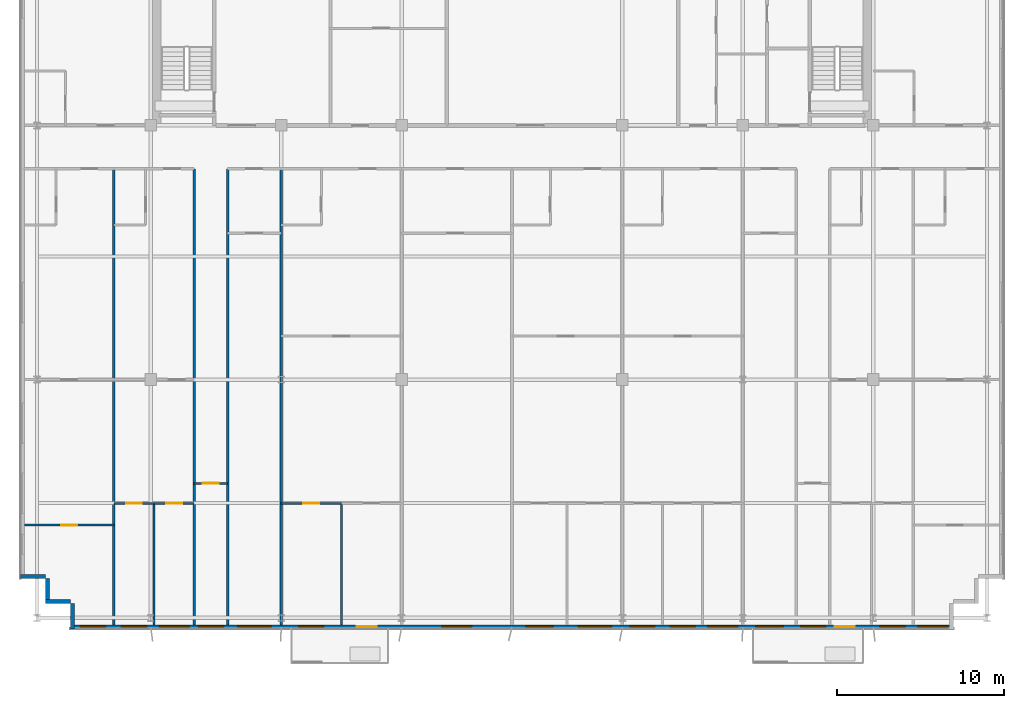
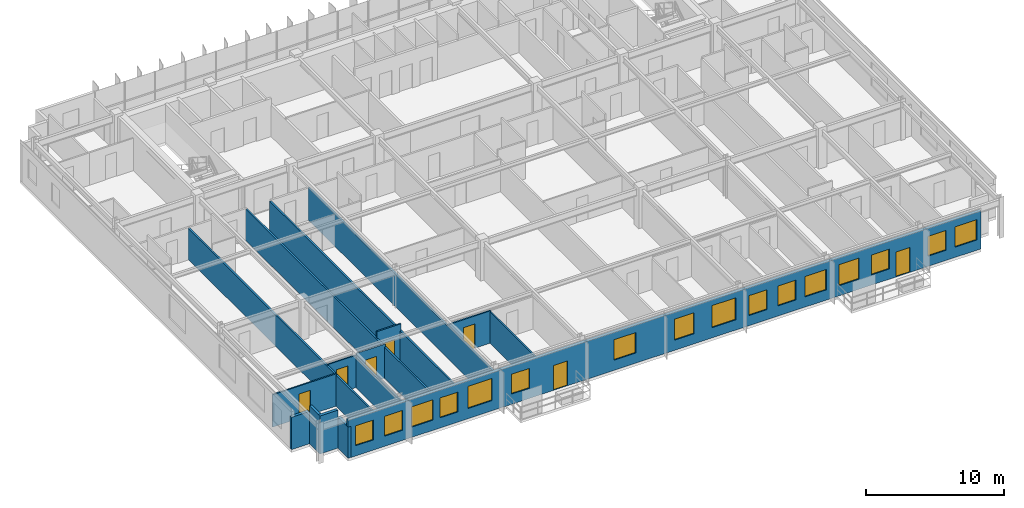
# One storey, part 14 of 21: 16 walls, 16 windows, 7 doors, 23 openings.
"""IFC4 building model written with IfcOpenShell, lengths in metres."""

from ifc_helpers import new_model, si_unit, direction, frame, frame_2d, origin, place, context, subcontext, project, spatial, rectangle, extrude, source, transform, mapped, material, layer, layer_set, type_object, element, fill, save


model = new_model("IFC4")

# Units and contexts
model_context = context("Model", 3, precision=1e-05, world=origin(), true_north=direction((0.0, 1.0)))
body_context = subcontext(model_context, "Body", "Model", "MODEL_VIEW")
ifc_project = project(units=[si_unit("LENGTHUNIT", "METRE"), si_unit("AREAUNIT", "SQUARE_METRE"), si_unit("VOLUMEUNIT", "CUBIC_METRE"), si_unit("PLANEANGLEUNIT", "RADIAN"), si_unit("MASSUNIT", "GRAM", prefix="KILO")], contexts=[model_context])

# Site, building, storey
site_placement = place(None, origin())
site = spatial("IfcSite", under=ifc_project, at=site_placement, CompositionType="ELEMENT")
building_placement = place(site_placement, origin())
building = spatial("IfcBuilding", under=site, at=building_placement, Name="Trelvane Seafront Commons", CompositionType="ELEMENT")
storey_placement = place(building_placement, frame((0.0, 0.0, 135.699951171875)))
storey = spatial("IfcBuildingStorey", under=building, at=storey_placement, Name="L35", CompositionType="ELEMENT", Elevation=135.699951171875)

# Walls
ifc_material_1 = material(Name="Precast concrete C40/50", Category="concrete")
ifc_layer_1 = layer(ifc_material_1, 0.239990234375, Name="ARCH-WALL-EXT240")
ifc_layer_set_1 = layer_set([ifc_layer_1], Name="Precast concrete C40/50")
wall_type_1 = type_object("IfcWallType", Name="ARCH-WALL-EXT240", PredefinedType="SOLIDWALL", material=ifc_layer_set_1)
for number, where, z_axis, x_axis, name in (
    (1, (10.800048828125, 4.919921875, 0.0), (0.0, 0.0, 1.0), (-1.0, 0.0, 0.0), "EW-L35-00676"),
    (2, (9.419921875, 4.800048828125, 0.0), (0.0, 0.0, 1.0), (0.0, 1.0, 0.0), "EW-L35-00677"),
):
    element("IfcWall", number, at=place(storey_placement, frame(where, z_axis=z_axis, x_axis=x_axis)), inside=storey, type_object=wall_type_1, Name=name, PredefinedType="SOLIDWALL", context=body_context, shape_type="SweptSolid", body=[
        extrude(rectangle(XDim=1.5, YDim=0.239990234375, at=frame_2d((0.75, 0.0))), origin(), (0.0, 0.0, 1.0), 3.35009765625),
    ])
wall_1_placement = place(storey_placement, frame((9.300048828125, 6.419921875, 0.0), z_axis=(0.0, 0.0, 1.0), x_axis=(-1.0, 0.0, 0.0)))
element("IfcWall", 3, at=wall_1_placement, inside=storey, type_object=wall_type_1, Name="EW-L35-00678", PredefinedType="SOLIDWALL", context=body_context, shape_type="SweptSolid", body=[
    extrude(rectangle(XDim=1.5, YDim=0.239990234375, at=frame_2d((0.75, 0.0))), origin(), (0.0, 0.0, 1.0), 2.85009765625),
])

# Wall, openings, doors, windows
wall_2_placement = place(storey_placement, frame((63.60009765625, 3.419921875, 0.0), z_axis=(0.0, 0.0, 1.0), x_axis=(-1.0, 0.0, 0.0)))
wall_2 = element("IfcWall", 4, at=wall_2_placement, inside=storey, type_object=wall_type_1, Name="EW-L35-00693", PredefinedType="SOLIDWALL", context=body_context, shape_type="SweptSolid", body=[
    extrude(rectangle(XDim=52.800048828125, YDim=0.239990234375, at=frame_2d((26.39990234375, 0.0))), origin(), (0.0, 0.0, 1.0), 3.35009765625),
])
opening_1_placement = place(wall_2_placement, frame((0.344970703125, 0.0, 0.89990234375)))
opening_1 = element("IfcOpeningElement", 5, at=opening_1_placement, cuts=wall_2, Name="Opening W01", PredefinedType="OPENING", context=body_context, shape_type="SweptSolid", body=[
    extrude(rectangle(XDim=1.800048828125, YDim=1.800048828125, at=frame_2d((0.89990234375, 0.89990234375))), frame((0.0, 0.1298828125, 0.0), z_axis=(0.0, -1.0, 0.0), x_axis=(1.0, 0.0, 0.0)), (0.0, 0.0, 1.0), 0.260009765625),
])
opening_2_placement = place(wall_2_placement, frame((2.89990234375, 0.0, 0.89990234375)))
opening_2 = element("IfcOpeningElement", 6, at=opening_2_placement, cuts=wall_2, Name="Opening W03", PredefinedType="OPENING", context=body_context, shape_type="SweptSolid", body=[
    extrude(rectangle(XDim=1.5, YDim=1.75, at=frame_2d((0.75, 0.875))), frame((0.0, 0.1298828125, 0.0), z_axis=(0.0, -1.0, 0.0), x_axis=(1.0, 0.0, 0.0)), (0.0, 0.0, 1.0), 0.260009765625),
])
opening_3_placement = place(wall_2_placement, frame((5.902099609375, 0.0, 0.0)))
opening_3 = element("IfcOpeningElement", 7, at=opening_3_placement, cuts=wall_2, Name="Opening BD-L35-83", PredefinedType="OPENING", context=body_context, shape_type="SweptSolid", body=[
    extrude(rectangle(XDim=1.199951171875, YDim=2.199951171875, at=frame_2d((0.60009765625, 1.10009765625))), frame((0.0, 0.1298828125, 0.0), z_axis=(0.0, -1.0, 0.0), x_axis=(1.0, 0.0, 0.0)), (0.0, 0.0, 1.0), 0.260009765625),
])
opening_4_placement = place(wall_2_placement, frame((7.64990234375, 0.0, 0.89990234375)))
opening_4 = element("IfcOpeningElement", 8, at=opening_4_placement, cuts=wall_2, Name="Opening W03", PredefinedType="OPENING", context=body_context, shape_type="SweptSolid", body=[
    extrude(rectangle(XDim=1.5, YDim=1.75, at=frame_2d((0.75, 0.875))), frame((0.0, 0.1298828125, 0.0), z_axis=(0.0, -1.0, 0.0), x_axis=(1.0, 0.0, 0.0)), (0.0, 0.0, 1.0), 0.260009765625),
])
opening_5_placement = place(wall_2_placement, frame((10.175048828125, 0.0, 0.89990234375)))
opening_5 = element("IfcOpeningElement", 9, at=opening_5_placement, cuts=wall_2, Name="Opening W07", PredefinedType="OPENING", context=body_context, shape_type="SweptSolid", body=[
    extrude(rectangle(XDim=1.64990234375, YDim=1.85009765625, at=frame_2d((0.824951171875, 0.925048828125))), frame((0.0, 0.1298828125, 0.0), z_axis=(0.0, -1.0, 0.0), x_axis=(1.0, 0.0, 0.0)), (0.0, 0.0, 1.0), 0.260009765625),
])
opening_6_placement = place(wall_2_placement, frame((12.89990234375, 0.0, 0.89990234375)))
opening_6 = element("IfcOpeningElement", 10, at=opening_6_placement, cuts=wall_2, Name="Opening W01", PredefinedType="OPENING", context=body_context, shape_type="SweptSolid", body=[
    extrude(rectangle(XDim=1.800048828125, YDim=1.800048828125, at=frame_2d((0.89990234375, 0.89990234375))), frame((0.0, 0.1298828125, 0.0), z_axis=(0.0, -1.0, 0.0), x_axis=(1.0, 0.0, 0.0)), (0.0, 0.0, 1.0), 0.260009765625),
])
opening_7_placement = place(wall_2_placement, frame((15.449951171875, 0.0, 0.89990234375)))
opening_7 = element("IfcOpeningElement", 11, at=opening_7_placement, cuts=wall_2, Name="Opening W03", PredefinedType="OPENING", context=body_context, shape_type="SweptSolid", body=[
    extrude(rectangle(XDim=1.5, YDim=1.75, at=frame_2d((0.75, 0.875))), frame((0.0, 0.1298828125, 0.0), z_axis=(0.0, -1.0, 0.0), x_axis=(1.0, 0.0, 0.0)), (0.0, 0.0, 1.0), 0.260009765625),
])
opening_8_placement = place(wall_2_placement, frame((17.85009765625, 0.0, 0.89990234375)))
opening_8 = element("IfcOpeningElement", 12, at=opening_8_placement, cuts=wall_2, Name="Opening W03", PredefinedType="OPENING", context=body_context, shape_type="SweptSolid", body=[
    extrude(rectangle(XDim=1.5, YDim=1.75, at=frame_2d((0.75, 0.875))), frame((0.0, 0.1298828125, 0.0), z_axis=(0.0, -1.0, 0.0), x_axis=(1.0, 0.0, 0.0)), (0.0, 0.0, 1.0), 0.260009765625),
])
opening_9_placement = place(wall_2_placement, frame((20.449951171875, 0.0, 0.89990234375)))
opening_9 = element("IfcOpeningElement", 13, at=opening_9_placement, cuts=wall_2, Name="Opening W06", PredefinedType="OPENING", context=body_context, shape_type="SweptSolid", body=[
    extrude(rectangle(XDim=2.0, YDim=1.949951171875, at=frame_2d((1.0, 0.97509765625))), frame((0.0, 0.1298828125, 0.0), z_axis=(0.0, -1.0, 0.0), x_axis=(1.0, 0.0, 0.0)), (0.0, 0.0, 1.0), 0.260009765625),
])
opening_10_placement = place(wall_2_placement, frame((23.925048828125, 0.0, 0.89990234375)))
opening_10 = element("IfcOpeningElement", 14, at=opening_10_placement, cuts=wall_2, Name="Opening W07", PredefinedType="OPENING", context=body_context, shape_type="SweptSolid", body=[
    extrude(rectangle(XDim=1.64990234375, YDim=1.85009765625, at=frame_2d((0.824951171875, 0.925048828125))), frame((0.0, 0.1298828125, 0.0), z_axis=(0.0, -1.0, 0.0), x_axis=(1.0, 0.0, 0.0)), (0.0, 0.0, 1.0), 0.260009765625),
])
opening_11_placement = place(wall_2_placement, frame((28.800048828125, 0.0, 0.89990234375)))
opening_11 = element("IfcOpeningElement", 15, at=opening_11_placement, cuts=wall_2, Name="Opening W01", PredefinedType="OPENING", context=body_context, shape_type="SweptSolid", body=[
    extrude(rectangle(XDim=1.800048828125, YDim=1.800048828125, at=frame_2d((0.89990234375, 0.89990234375))), frame((0.0, 0.1298828125, 0.0), z_axis=(0.0, -1.0, 0.0), x_axis=(1.0, 0.0, 0.0)), (0.0, 0.0, 1.0), 0.260009765625),
])
opening_12_placement = place(wall_2_placement, frame((34.47802734375, 0.0, 0.0)))
opening_12 = element("IfcOpeningElement", 16, at=opening_12_placement, cuts=wall_2, Name="Opening BD-L35-84", PredefinedType="OPENING", context=body_context, shape_type="SweptSolid", body=[
    extrude(rectangle(XDim=1.199951171875, YDim=2.199951171875, at=frame_2d((0.60009765625, 1.10009765625))), frame((0.0, 0.1298828125, 0.0), z_axis=(0.0, -1.0, 0.0), x_axis=(1.0, 0.0, 0.0)), (0.0, 0.0, 1.0), 0.260009765625),
])
opening_13_placement = place(wall_2_placement, frame((37.64990234375, 0.0, 0.89990234375)))
opening_13 = element("IfcOpeningElement", 17, at=opening_13_placement, cuts=wall_2, Name="Opening W03", PredefinedType="OPENING", context=body_context, shape_type="SweptSolid", body=[
    extrude(rectangle(XDim=1.5, YDim=1.75, at=frame_2d((0.75, 0.875))), frame((0.0, 0.1298828125, 0.0), z_axis=(0.0, -1.0, 0.0), x_axis=(1.0, 0.0, 0.0)), (0.0, 0.0, 1.0), 0.260009765625),
])
opening_14_placement = place(wall_2_placement, frame((40.800048828125, 0.0, 0.89990234375)))
opening_14 = element("IfcOpeningElement", 18, at=opening_14_placement, cuts=wall_2, Name="Opening W06", PredefinedType="OPENING", context=body_context, shape_type="SweptSolid", body=[
    extrude(rectangle(XDim=2.0, YDim=1.949951171875, at=frame_2d((1.0, 0.97509765625))), frame((0.0, 0.1298828125, 0.0), z_axis=(0.0, -1.0, 0.0), x_axis=(1.0, 0.0, 0.0)), (0.0, 0.0, 1.0), 0.260009765625),
])
opening_15_placement = place(wall_2_placement, frame((43.64990234375, 0.0, 0.89990234375)))
opening_15 = element("IfcOpeningElement", 19, at=opening_15_placement, cuts=wall_2, Name="Opening W03", PredefinedType="OPENING", context=body_context, shape_type="SweptSolid", body=[
    extrude(rectangle(XDim=1.5, YDim=1.75, at=frame_2d((0.75, 0.875))), frame((0.0, 0.1298828125, 0.0), z_axis=(0.0, -1.0, 0.0), x_axis=(1.0, 0.0, 0.0)), (0.0, 0.0, 1.0), 0.260009765625),
])
opening_16_placement = place(wall_2_placement, frame((45.699951171875, 0.0, 0.89990234375)))
opening_16 = element("IfcOpeningElement", 20, at=opening_16_placement, cuts=wall_2, Name="Opening W01", PredefinedType="OPENING", context=body_context, shape_type="SweptSolid", body=[
    extrude(rectangle(XDim=1.800048828125, YDim=1.800048828125, at=frame_2d((0.89990234375, 0.89990234375))), frame((0.0, 0.1298828125, 0.0), z_axis=(0.0, -1.0, 0.0), x_axis=(1.0, 0.0, 0.0)), (0.0, 0.0, 1.0), 0.260009765625),
])
opening_17_placement = place(wall_2_placement, frame((48.25, 0.0, 0.89990234375)))
opening_17 = element("IfcOpeningElement", 21, at=opening_17_placement, cuts=wall_2, Name="Opening W03", PredefinedType="OPENING", context=body_context, shape_type="SweptSolid", body=[
    extrude(rectangle(XDim=1.5, YDim=1.75, at=frame_2d((0.75, 0.875))), frame((0.0, 0.1298828125, 0.0), z_axis=(0.0, -1.0, 0.0), x_axis=(1.0, 0.0, 0.0)), (0.0, 0.0, 1.0), 0.260009765625),
])
opening_18_placement = place(wall_2_placement, frame((50.705078125, 0.0, 0.89990234375)))
opening_18 = element("IfcOpeningElement", 22, at=opening_18_placement, cuts=wall_2, Name="Opening W03", PredefinedType="OPENING", context=body_context, shape_type="SweptSolid", body=[
    extrude(rectangle(XDim=1.5, YDim=1.75, at=frame_2d((0.75, 0.875))), frame((0.0, 0.1298828125, 0.0), z_axis=(0.0, -1.0, 0.0), x_axis=(1.0, 0.0, 0.0)), (0.0, 0.0, 1.0), 0.260009765625),
])
ifc_material_2 = material(Name="Powder-coated aluminium frame", Category="aluminium")
door_type_1 = type_object("IfcDoorType", Name="ARCH-DR-BAL1200", OperationType="NOTDEFINED", PredefinedType="DOOR", material=ifc_material_2)
shared_shape_1 = source(origin(), body_context, "Body", "SweptSolid", [
    extrude(rectangle(XDim=1.199951171875, YDim=2.199951171875, at=frame_2d((0.60009765625, 1.10009765625))), frame((0.0, 0.02490234375, 0.0), z_axis=(0.0, -1.0, 0.0), x_axis=(1.0, 0.0, 0.0)), (0.0, 0.0, 1.0), 0.050048828125),
])
door_1_placement = place(opening_3_placement, origin())
door_1 = element("IfcDoor", 23, at=door_1_placement, inside=storey, type_object=door_type_1, Name="L35 Balcony Terrace Access Door", OperationType="SINGLE_SWING_LEFT", OverallHeight=2.199951171875, OverallWidth=1.199951171875, PredefinedType="DOOR", context=body_context, shape_type="MappedRepresentation", body=[
    mapped(shared_shape_1, transform((0.0, 0.0, 0.0), x_axis=(1.0, 0.0, 0.0), y_axis=(0.0, 1.0, 0.0), z_axis=(0.0, 0.0, 1.0), scale=1.0)),
])
fill(opening_3, door_1)
door_2_placement = place(opening_12_placement, origin())
door_2 = element("IfcDoor", 24, at=door_2_placement, inside=storey, type_object=door_type_1, Name="L35 Balcony Terrace Access Door", OperationType="SINGLE_SWING_LEFT", OverallHeight=2.199951171875, OverallWidth=1.199951171875, PredefinedType="DOOR", context=body_context, shape_type="MappedRepresentation", body=[
    mapped(shared_shape_1, transform((0.0, 0.0, 0.0), x_axis=(1.0, 0.0, 0.0), y_axis=(0.0, 1.0, 0.0), z_axis=(0.0, 0.0, 1.0), scale=1.0)),
])
fill(opening_12, door_2)
ifc_material_3 = material(Name="Low-E coastal double glazing", Category="glass")
window_type_1 = type_object("IfcWindowType", Name="ARCH-WIN-W03", PartitioningType="SINGLE_PANEL", PredefinedType="WINDOW", material=ifc_material_3)
shared_shape_2 = source(origin(), body_context, "Body", "SweptSolid", [
    extrude(rectangle(XDim=1.5, YDim=1.75, at=frame_2d((0.75, 0.875))), frame((0.0, 0.030029296875, 0.0), z_axis=(0.0, -1.0, 0.0), x_axis=(1.0, 0.0, 0.0)), (0.0, 0.0, 1.0), 0.06005859375),
])
window_1_placement = place(opening_2_placement, origin())
window_1 = element("IfcWindow", 25, at=window_1_placement, inside=storey, type_object=window_type_1, Name="WIN-L35-00804", OverallHeight=1.75, OverallWidth=1.5, PartitioningType="SINGLE_PANEL", PredefinedType="WINDOW", context=body_context, shape_type="MappedRepresentation", body=[
    mapped(shared_shape_2, transform((0.0, 0.0, 0.0), x_axis=(1.0, 0.0, 0.0), y_axis=(0.0, 1.0, 0.0), z_axis=(0.0, 0.0, 1.0), scale=1.0)),
])
fill(opening_2, window_1)
window_2_placement = place(opening_4_placement, origin())
window_2 = element("IfcWindow", 26, at=window_2_placement, inside=storey, type_object=window_type_1, Name="WIN-L35-00805", OverallHeight=1.75, OverallWidth=1.5, PartitioningType="SINGLE_PANEL", PredefinedType="WINDOW", context=body_context, shape_type="MappedRepresentation", body=[
    mapped(shared_shape_2, transform((0.0, 0.0, 0.0), x_axis=(1.0, 0.0, 0.0), y_axis=(0.0, 1.0, 0.0), z_axis=(0.0, 0.0, 1.0), scale=1.0)),
])
fill(opening_4, window_2)
window_3_placement = place(opening_7_placement, origin())
window_3 = element("IfcWindow", 27, at=window_3_placement, inside=storey, type_object=window_type_1, Name="WIN-L35-00808", OverallHeight=1.75, OverallWidth=1.5, PartitioningType="SINGLE_PANEL", PredefinedType="WINDOW", context=body_context, shape_type="MappedRepresentation", body=[
    mapped(shared_shape_2, transform((0.0, 0.0, 0.0), x_axis=(1.0, 0.0, 0.0), y_axis=(0.0, 1.0, 0.0), z_axis=(0.0, 0.0, 1.0), scale=1.0)),
])
fill(opening_7, window_3)
window_4_placement = place(opening_8_placement, origin())
window_4 = element("IfcWindow", 28, at=window_4_placement, inside=storey, type_object=window_type_1, Name="WIN-L35-00809", OverallHeight=1.75, OverallWidth=1.5, PartitioningType="SINGLE_PANEL", PredefinedType="WINDOW", context=body_context, shape_type="MappedRepresentation", body=[
    mapped(shared_shape_2, transform((0.0, 0.0, 0.0), x_axis=(1.0, 0.0, 0.0), y_axis=(0.0, 1.0, 0.0), z_axis=(0.0, 0.0, 1.0), scale=1.0)),
])
fill(opening_8, window_4)
window_5_placement = place(opening_13_placement, origin())
window_5 = element("IfcWindow", 29, at=window_5_placement, inside=storey, type_object=window_type_1, Name="WIN-L35-00813", OverallHeight=1.75, OverallWidth=1.5, PartitioningType="SINGLE_PANEL", PredefinedType="WINDOW", context=body_context, shape_type="MappedRepresentation", body=[
    mapped(shared_shape_2, transform((0.0, 0.0, 0.0), x_axis=(1.0, 0.0, 0.0), y_axis=(0.0, 1.0, 0.0), z_axis=(0.0, 0.0, 1.0), scale=1.0)),
])
fill(opening_13, window_5)
window_6_placement = place(opening_15_placement, origin())
window_6 = element("IfcWindow", 30, at=window_6_placement, inside=storey, type_object=window_type_1, Name="WIN-L35-00815", OverallHeight=1.75, OverallWidth=1.5, PartitioningType="SINGLE_PANEL", PredefinedType="WINDOW", context=body_context, shape_type="MappedRepresentation", body=[
    mapped(shared_shape_2, transform((0.0, 0.0, 0.0), x_axis=(1.0, 0.0, 0.0), y_axis=(0.0, 1.0, 0.0), z_axis=(0.0, 0.0, 1.0), scale=1.0)),
])
fill(opening_15, window_6)
window_7_placement = place(opening_17_placement, origin())
window_7 = element("IfcWindow", 31, at=window_7_placement, inside=storey, type_object=window_type_1, Name="WIN-L35-00817", OverallHeight=1.75, OverallWidth=1.5, PartitioningType="SINGLE_PANEL", PredefinedType="WINDOW", context=body_context, shape_type="MappedRepresentation", body=[
    mapped(shared_shape_2, transform((0.0, 0.0, 0.0), x_axis=(1.0, 0.0, 0.0), y_axis=(0.0, 1.0, 0.0), z_axis=(0.0, 0.0, 1.0), scale=1.0)),
])
fill(opening_17, window_7)
window_8_placement = place(opening_18_placement, origin())
window_8 = element("IfcWindow", 32, at=window_8_placement, inside=storey, type_object=window_type_1, Name="WIN-L35-00818", OverallHeight=1.75, OverallWidth=1.5, PartitioningType="SINGLE_PANEL", PredefinedType="WINDOW", context=body_context, shape_type="MappedRepresentation", body=[
    mapped(shared_shape_2, transform((0.0, 0.0, 0.0), x_axis=(1.0, 0.0, 0.0), y_axis=(0.0, 1.0, 0.0), z_axis=(0.0, 0.0, 1.0), scale=1.0)),
])
fill(opening_18, window_8)
window_type_2 = type_object("IfcWindowType", Name="ARCH-WIN-W06", PartitioningType="SINGLE_PANEL", PredefinedType="WINDOW", material=ifc_material_3)
shared_shape_3 = source(origin(), body_context, "Body", "SweptSolid", [
    extrude(rectangle(XDim=2.0, YDim=1.949951171875, at=frame_2d((1.0, 0.97509765625))), frame((0.0, 0.030029296875, 0.0), z_axis=(0.0, -1.0, 0.0), x_axis=(1.0, 0.0, 0.0)), (0.0, 0.0, 1.0), 0.06005859375),
])
window_9_placement = place(opening_9_placement, origin())
window_9 = element("IfcWindow", 33, at=window_9_placement, inside=storey, type_object=window_type_2, Name="WIN-L35-00810", OverallHeight=1.949951171875, OverallWidth=2.0, PartitioningType="SINGLE_PANEL", PredefinedType="WINDOW", context=body_context, shape_type="MappedRepresentation", body=[
    mapped(shared_shape_3, transform((0.0, 0.0, 0.0), x_axis=(1.0, 0.0, 0.0), y_axis=(0.0, 1.0, 0.0), z_axis=(0.0, 0.0, 1.0), scale=1.0)),
])
fill(opening_9, window_9)
window_10_placement = place(opening_14_placement, origin())
window_10 = element("IfcWindow", 34, at=window_10_placement, inside=storey, type_object=window_type_2, Name="WIN-L35-00814", OverallHeight=1.949951171875, OverallWidth=2.0, PartitioningType="SINGLE_PANEL", PredefinedType="WINDOW", context=body_context, shape_type="MappedRepresentation", body=[
    mapped(shared_shape_3, transform((0.0, 0.0, 0.0), x_axis=(1.0, 0.0, 0.0), y_axis=(0.0, 1.0, 0.0), z_axis=(0.0, 0.0, 1.0), scale=1.0)),
])
fill(opening_14, window_10)
window_type_3 = type_object("IfcWindowType", Name="ARCH-WIN-W01", PartitioningType="SINGLE_PANEL", PredefinedType="WINDOW", material=ifc_material_3)
shared_shape_4 = source(origin(), body_context, "Body", "SweptSolid", [
    extrude(rectangle(XDim=1.800048828125, YDim=1.800048828125, at=frame_2d((0.89990234375, 0.89990234375))), frame((0.0, 0.030029296875, 0.0), z_axis=(0.0, -1.0, 0.0), x_axis=(1.0, 0.0, 0.0)), (0.0, 0.0, 1.0), 0.06005859375),
])
window_11_placement = place(opening_1_placement, origin())
window_11 = element("IfcWindow", 35, at=window_11_placement, inside=storey, type_object=window_type_3, Name="WIN-L35-00803", OverallHeight=1.800048828125, OverallWidth=1.800048828125, PartitioningType="SINGLE_PANEL", PredefinedType="WINDOW", context=body_context, shape_type="MappedRepresentation", body=[
    mapped(shared_shape_4, transform((0.0, 0.0, 0.0), x_axis=(1.0, 0.0, 0.0), y_axis=(0.0, 1.0, 0.0), z_axis=(0.0, 0.0, 1.0), scale=1.0)),
])
fill(opening_1, window_11)
window_12_placement = place(opening_6_placement, origin())
window_12 = element("IfcWindow", 36, at=window_12_placement, inside=storey, type_object=window_type_3, Name="WIN-L35-00807", OverallHeight=1.800048828125, OverallWidth=1.800048828125, PartitioningType="SINGLE_PANEL", PredefinedType="WINDOW", context=body_context, shape_type="MappedRepresentation", body=[
    mapped(shared_shape_4, transform((0.0, 0.0, 0.0), x_axis=(1.0, 0.0, 0.0), y_axis=(0.0, 1.0, 0.0), z_axis=(0.0, 0.0, 1.0), scale=1.0)),
])
fill(opening_6, window_12)
window_13_placement = place(opening_11_placement, origin())
window_13 = element("IfcWindow", 37, at=window_13_placement, inside=storey, type_object=window_type_3, Name="WIN-L35-00812", OverallHeight=1.800048828125, OverallWidth=1.800048828125, PartitioningType="SINGLE_PANEL", PredefinedType="WINDOW", context=body_context, shape_type="MappedRepresentation", body=[
    mapped(shared_shape_4, transform((0.0, 0.0, 0.0), x_axis=(1.0, 0.0, 0.0), y_axis=(0.0, 1.0, 0.0), z_axis=(0.0, 0.0, 1.0), scale=1.0)),
])
fill(opening_11, window_13)
window_14_placement = place(opening_16_placement, origin())
window_14 = element("IfcWindow", 38, at=window_14_placement, inside=storey, type_object=window_type_3, Name="WIN-L35-00816", OverallHeight=1.800048828125, OverallWidth=1.800048828125, PartitioningType="SINGLE_PANEL", PredefinedType="WINDOW", context=body_context, shape_type="MappedRepresentation", body=[
    mapped(shared_shape_4, transform((0.0, 0.0, 0.0), x_axis=(1.0, 0.0, 0.0), y_axis=(0.0, 1.0, 0.0), z_axis=(0.0, 0.0, 1.0), scale=1.0)),
])
fill(opening_16, window_14)
window_type_4 = type_object("IfcWindowType", Name="ARCH-WIN-W07", PartitioningType="SINGLE_PANEL", PredefinedType="WINDOW", material=ifc_material_3)
shared_shape_5 = source(origin(), body_context, "Body", "SweptSolid", [
    extrude(rectangle(XDim=1.64990234375, YDim=1.85009765625, at=frame_2d((0.824951171875, 0.925048828125))), frame((0.0, 0.030029296875, 0.0), z_axis=(0.0, -1.0, 0.0), x_axis=(1.0, 0.0, 0.0)), (0.0, 0.0, 1.0), 0.06005859375),
])
window_15_placement = place(opening_5_placement, origin())
window_15 = element("IfcWindow", 39, at=window_15_placement, inside=storey, type_object=window_type_4, Name="WIN-L35-00806", OverallHeight=1.85009765625, OverallWidth=1.64990234375, PartitioningType="SINGLE_PANEL", PredefinedType="WINDOW", context=body_context, shape_type="MappedRepresentation", body=[
    mapped(shared_shape_5, transform((0.0, 0.0, 0.0), x_axis=(1.0, 0.0, 0.0), y_axis=(0.0, 1.0, 0.0), z_axis=(0.0, 0.0, 1.0), scale=1.0)),
])
fill(opening_5, window_15)
window_16_placement = place(opening_10_placement, origin())
window_16 = element("IfcWindow", 40, at=window_16_placement, inside=storey, type_object=window_type_4, Name="WIN-L35-00811", OverallHeight=1.85009765625, OverallWidth=1.64990234375, PartitioningType="SINGLE_PANEL", PredefinedType="WINDOW", context=body_context, shape_type="MappedRepresentation", body=[
    mapped(shared_shape_5, transform((0.0, 0.0, 0.0), x_axis=(1.0, 0.0, 0.0), y_axis=(0.0, 1.0, 0.0), z_axis=(0.0, 0.0, 1.0), scale=1.0)),
])
fill(opening_10, window_16)

# Wall
wall_3_placement = place(storey_placement, frame((10.919921875, 3.300048828125, 0.0), z_axis=(0.0, 0.0, 1.0), x_axis=(0.0, 1.0, 0.0)))
element("IfcWall", 41, at=wall_3_placement, inside=storey, type_object=wall_type_1, Name="EW-L35-00694", PredefinedType="SOLIDWALL", context=body_context, shape_type="SweptSolid", body=[
    extrude(rectangle(XDim=1.5, YDim=0.239990234375, at=frame_2d((0.75, 0.0))), origin(), (0.0, 0.0, 1.0), 2.75),
])

# Wall, opening, door
ifc_material_4 = material(Name="Gypsum Drywall Acoustic Partition")
ifc_layer_2 = layer(ifc_material_4, 0.1201171875, Name="ARCH-WALL-PART120")
ifc_layer_set_2 = layer_set([ifc_layer_2], Name="Gypsum Drywall Acoustic Partition")
wall_type_2 = type_object("IfcWallType", Name="ARCH-WALL-PART120", PredefinedType="PARTITIONING", material=ifc_layer_set_2)
wall_4_placement = place(storey_placement, frame((8.0400390625, 9.5, 0.0), z_axis=(0.0, 0.0, 1.0), x_axis=(1.0, 0.0, 0.0)))
wall_4 = element("IfcWall", 42, at=wall_4_placement, inside=storey, type_object=wall_type_2, Name="W-L35-U1-YM-1-062", PredefinedType="PARTITIONING", context=body_context, shape_type="SweptSolid", body=[
    extrude(rectangle(XDim=5.35986328125, YDim=0.1201171875, at=frame_2d((2.679931640625, 0.0))), origin(), (0.0, 0.0, 1.0), 2.85009765625),
])
opening_19_placement = place(wall_4_placement, frame((2.205078125, 0.0, 0.0)))
opening_19 = element("IfcOpeningElement", 43, at=opening_19_placement, cuts=wall_4, Name="Opening D-L35-34", PredefinedType="OPENING", context=body_context, shape_type="SweptSolid", body=[
    extrude(rectangle(XDim=0.949951171875, YDim=2.14990234375, at=frame_2d((0.47509765625, 1.074951171875))), frame((0.0, 0.070068359375, 0.0), z_axis=(0.0, -1.0, 0.0), x_axis=(1.0, 0.0, 0.0)), (0.0, 0.0, 1.0), 0.14013671875),
])
ifc_material_5 = material(Name="Acoustic timber door leaf", Category="wood")
door_type_2 = type_object("IfcDoorType", Name="ARCH-DR-INT950", OperationType="NOTDEFINED", PredefinedType="DOOR", material=ifc_material_5)
shared_shape_6 = source(origin(), body_context, "Body", "SweptSolid", [
    extrude(rectangle(XDim=0.949951171875, YDim=2.14990234375, at=frame_2d((0.47509765625, 1.074951171875))), frame((0.0, 0.02490234375, 0.0), z_axis=(0.0, -1.0, 0.0), x_axis=(1.0, 0.0, 0.0)), (0.0, 0.0, 1.0), 0.050048828125),
])
door_3_placement = place(opening_19_placement, origin())
door_3 = element("IfcDoor", 44, at=door_3_placement, inside=storey, type_object=door_type_2, Name="L35 Door 34", OperationType="SINGLE_SWING_RIGHT", OverallHeight=2.14990234375, OverallWidth=0.949951171875, PredefinedType="DOOR", context=body_context, shape_type="MappedRepresentation", body=[
    mapped(shared_shape_6, transform((0.0, 0.0, 0.0), x_axis=(1.0, 0.0, 0.0), y_axis=(0.0, 1.0, 0.0), z_axis=(0.0, 0.0, 1.0), scale=1.0)),
])
fill(opening_19, door_3)

wall_5_placement = place(storey_placement, frame((13.39990234375, 10.800048828125, 0.0), z_axis=(0.0, 0.0, 1.0), x_axis=(1.0, 0.0, 0.0)))
wall_5 = element("IfcWall", 45, at=wall_5_placement, inside=storey, type_object=wall_type_2, Name="W-L35-U2-YM-1-067", PredefinedType="PARTITIONING", context=body_context, shape_type="SweptSolid", body=[
    extrude(rectangle(XDim=2.400146484375, YDim=0.1201171875, at=frame_2d((1.2001953125, 0.0))), origin(), (0.0, 0.0, 1.0), 2.85009765625),
])
opening_20_placement = place(wall_5_placement, frame((0.72509765625, 0.0, 0.0)))
opening_20 = element("IfcOpeningElement", 46, at=opening_20_placement, cuts=wall_5, Name="Opening D-L35-38", PredefinedType="OPENING", context=body_context, shape_type="SweptSolid", body=[
    extrude(rectangle(XDim=0.949951171875, YDim=2.14990234375, at=frame_2d((0.47509765625, 1.074951171875))), frame((0.0, 0.070068359375, 0.0), z_axis=(0.0, -1.0, 0.0), x_axis=(1.0, 0.0, 0.0)), (0.0, 0.0, 1.0), 0.14013671875),
])
door_4_placement = place(opening_20_placement, origin())
door_4 = element("IfcDoor", 47, at=door_4_placement, inside=storey, type_object=door_type_2, Name="L35 Door 38", OperationType="SINGLE_SWING_RIGHT", OverallHeight=2.14990234375, OverallWidth=0.949951171875, PredefinedType="DOOR", context=body_context, shape_type="MappedRepresentation", body=[
    mapped(shared_shape_6, transform((0.0, 0.0, 0.0), x_axis=(1.0, 0.0, 0.0), y_axis=(0.0, 1.0, 0.0), z_axis=(0.0, 0.0, 1.0), scale=1.0)),
])
fill(opening_20, door_4)

wall_6_placement = place(storey_placement, frame((15.800048828125, 10.800048828125, 0.0), z_axis=(0.0, 0.0, 1.0), x_axis=(1.0, 0.0, 0.0)))
wall_6 = element("IfcWall", 48, at=wall_6_placement, inside=storey, type_object=wall_type_2, Name="W-L35-U2-YM-2-068", PredefinedType="PARTITIONING", context=body_context, shape_type="SweptSolid", body=[
    extrude(rectangle(XDim=2.39990234375, YDim=0.1201171875, at=frame_2d((1.199951171875, 0.0))), origin(), (0.0, 0.0, 1.0), 3.0),
])
opening_21_placement = place(wall_6_placement, frame((0.72509765625, 0.0, 0.0)))
opening_21 = element("IfcOpeningElement", 49, at=opening_21_placement, cuts=wall_6, Name="Opening D-L35-39", PredefinedType="OPENING", context=body_context, shape_type="SweptSolid", body=[
    extrude(rectangle(XDim=0.949951171875, YDim=2.14990234375, at=frame_2d((0.47509765625, 1.074951171875))), frame((0.0, 0.070068359375, 0.0), z_axis=(0.0, -1.0, 0.0), x_axis=(1.0, 0.0, 0.0)), (0.0, 0.0, 1.0), 0.14013671875),
])
door_5_placement = place(opening_21_placement, origin())
door_5 = element("IfcDoor", 50, at=door_5_placement, inside=storey, type_object=door_type_2, Name="L35 Door 39", OperationType="SINGLE_SWING_LEFT", OverallHeight=2.14990234375, OverallWidth=0.949951171875, PredefinedType="DOOR", context=body_context, shape_type="MappedRepresentation", body=[
    mapped(shared_shape_6, transform((0.0, 0.0, 0.0), x_axis=(1.0, 0.0, 0.0), y_axis=(0.0, 1.0, 0.0), z_axis=(0.0, 0.0, 1.0), scale=1.0)),
])
fill(opening_21, door_5)

# Wall
wall_7_placement = place(storey_placement, frame((15.800048828125, 3.52490234375, 0.0), z_axis=(0.0, 0.0, 1.0), x_axis=(0.0, 1.0, 0.0)))
element("IfcWall", 51, at=wall_7_placement, inside=storey, type_object=wall_type_2, Name="W-L35-U2-BDV-1-069", PredefinedType="PARTITIONING", context=body_context, shape_type="SweptSolid", body=[
    extrude(rectangle(XDim=7.275146484375, YDim=0.1201171875, at=frame_2d((3.6376953125, 0.0))), origin(), (0.0, 0.0, 1.0), 2.75),
])

# Wall, opening, door
wall_8_placement = place(storey_placement, frame((18.199951171875, 12.0, 0.0), z_axis=(0.0, 0.0, 1.0), x_axis=(1.0, 0.0, 0.0)))
wall_8 = element("IfcWall", 52, at=wall_8_placement, inside=storey, type_object=wall_type_2, Name="W-L35-ARM-END-3-072", PredefinedType="PARTITIONING", context=body_context, shape_type="SweptSolid", body=[
    extrude(rectangle(XDim=2.0, YDim=0.1201171875, at=frame_2d((1.0, 0.0))), origin(), (0.0, 0.0, 1.0), 3.35009765625),
])
opening_22_placement = place(wall_8_placement, frame((0.52001953125, 0.0, 0.0)))
opening_22 = element("IfcOpeningElement", 53, at=opening_22_placement, cuts=wall_8, Name="Opening D-L35-40", PredefinedType="OPENING", context=body_context, shape_type="SweptSolid", body=[
    extrude(rectangle(XDim=0.949951171875, YDim=2.14990234375, at=frame_2d((0.47509765625, 1.074951171875))), frame((0.0, 0.070068359375, 0.0), z_axis=(0.0, -1.0, 0.0), x_axis=(1.0, 0.0, 0.0)), (0.0, 0.0, 1.0), 0.14013671875),
])
door_6_placement = place(opening_22_placement, origin())
door_6 = element("IfcDoor", 54, at=door_6_placement, inside=storey, type_object=door_type_2, Name="L35 Door 40", OperationType="SINGLE_SWING_RIGHT", OverallHeight=2.14990234375, OverallWidth=0.949951171875, PredefinedType="DOOR", context=body_context, shape_type="MappedRepresentation", body=[
    mapped(shared_shape_6, transform((0.0, 0.0, 0.0), x_axis=(1.0, 0.0, 0.0), y_axis=(0.0, 1.0, 0.0), z_axis=(0.0, 0.0, 1.0), scale=1.0)),
])
fill(opening_22, door_6)

wall_9_placement = place(storey_placement, frame((23.39990234375, 10.800048828125, 0.0), z_axis=(0.0, 0.0, 1.0), x_axis=(1.0, 0.0, 0.0)))
wall_9 = element("IfcWall", 55, at=wall_9_placement, inside=storey, type_object=wall_type_2, Name="W-L35-U5-YM-1-079", PredefinedType="PARTITIONING", context=body_context, shape_type="SweptSolid", body=[
    extrude(rectangle(XDim=3.60009765625, YDim=0.1201171875, at=frame_2d((1.800048828125, 0.0))), origin(), (0.0, 0.0, 1.0), 2.85009765625),
])
opening_23_placement = place(wall_9_placement, frame((1.324951171875, 0.0, 0.0)))
opening_23 = element("IfcOpeningElement", 56, at=opening_23_placement, cuts=wall_9, Name="Opening D-L35-46", PredefinedType="OPENING", context=body_context, shape_type="SweptSolid", body=[
    extrude(rectangle(XDim=0.949951171875, YDim=2.14990234375, at=frame_2d((0.47509765625, 1.074951171875))), frame((0.0, 0.070068359375, 0.0), z_axis=(0.0, -1.0, 0.0), x_axis=(1.0, 0.0, 0.0)), (0.0, 0.0, 1.0), 0.14013671875),
])
door_7_placement = place(opening_23_placement, origin())
door_7 = element("IfcDoor", 57, at=door_7_placement, inside=storey, type_object=door_type_2, Name="L35 Door 46", OperationType="SINGLE_SWING_RIGHT", OverallHeight=2.14990234375, OverallWidth=0.949951171875, PredefinedType="DOOR", context=body_context, shape_type="MappedRepresentation", body=[
    mapped(shared_shape_6, transform((0.0, 0.0, 0.0), x_axis=(1.0, 0.0, 0.0), y_axis=(0.0, 1.0, 0.0), z_axis=(0.0, 0.0, 1.0), scale=1.0)),
])
fill(opening_23, door_7)

# Walls
wall_10_placement = place(storey_placement, frame((27.0, 3.52490234375, 0.0), z_axis=(0.0, 0.0, 1.0), x_axis=(0.0, 1.0, 0.0)))
element("IfcWall", 58, at=wall_10_placement, inside=storey, type_object=wall_type_2, Name="W-L35-U5-BDV-1-081", PredefinedType="PARTITIONING", context=body_context, shape_type="SweptSolid", body=[
    extrude(rectangle(XDim=7.275146484375, YDim=0.1201171875, at=frame_2d((3.6376953125, 0.0))), origin(), (0.0, 0.0, 1.0), 2.75),
])
ifc_layer_3 = layer(ifc_material_4, 0.14990234375, Name="ARCH-WALL-PART150")
ifc_layer_set_3 = layer_set([ifc_layer_3], Name="Gypsum Drywall Acoustic Partition")
wall_type_3 = type_object("IfcWallType", Name="ARCH-WALL-PART150", PredefinedType="PARTITIONING", material=ifc_layer_set_3)
wall_11_placement = place(storey_placement, frame((13.39990234375, 3.52490234375, 0.0), z_axis=(0.0, 0.0, 1.0), x_axis=(0.0, 1.0, 0.0)))
element("IfcWall", 59, at=wall_11_placement, inside=storey, type_object=wall_type_3, Name="W-L35-PW-1-051", PredefinedType="PARTITIONING", context=body_context, shape_type="SweptSolid", body=[
    extrude(rectangle(XDim=27.275146484375, YDim=0.14990234375, at=frame_2d((13.6376953125, 0.0))), origin(), (0.0, 0.0, 1.0), 2.75),
])
wall_12_placement = place(storey_placement, frame((23.39990234375, 3.52490234375, 0.0), z_axis=(0.0, 0.0, 1.0), x_axis=(0.0, 1.0, 0.0)))
element("IfcWall", 60, at=wall_12_placement, inside=storey, type_object=wall_type_3, Name="W-L35-PW-4-052", PredefinedType="PARTITIONING", context=body_context, shape_type="SweptSolid", body=[
    extrude(rectangle(XDim=27.275146484375, YDim=0.14990234375, at=frame_2d((13.6376953125, 0.0))), origin(), (0.0, 0.0, 1.0), 2.85009765625),
])
for number, where, z_axis, x_axis, name in (
    (61, (18.199951171875, 3.52490234375, 0.0), (0.0, 0.0, 1.0), (0.0, 1.0, 0.0), "W-L35-ARM-W-3-070"),
    (62, (20.199951171875, 3.52490234375, 0.0), (0.0, 0.0, 1.0), (0.0, 1.0, 0.0), "W-L35-ARM-E-3-071"),
):
    element("IfcWall", number, at=place(storey_placement, frame(where, z_axis=z_axis, x_axis=x_axis)), inside=storey, type_object=wall_type_3, Name=name, PredefinedType="PARTITIONING", context=body_context, shape_type="SweptSolid", body=[
        extrude(rectangle(XDim=27.275146484375, YDim=0.14990234375, at=frame_2d((13.6376953125, 0.0))), origin(), (0.0, 0.0, 1.0), 2.75),
    ])

save(model, "model.ifc")
